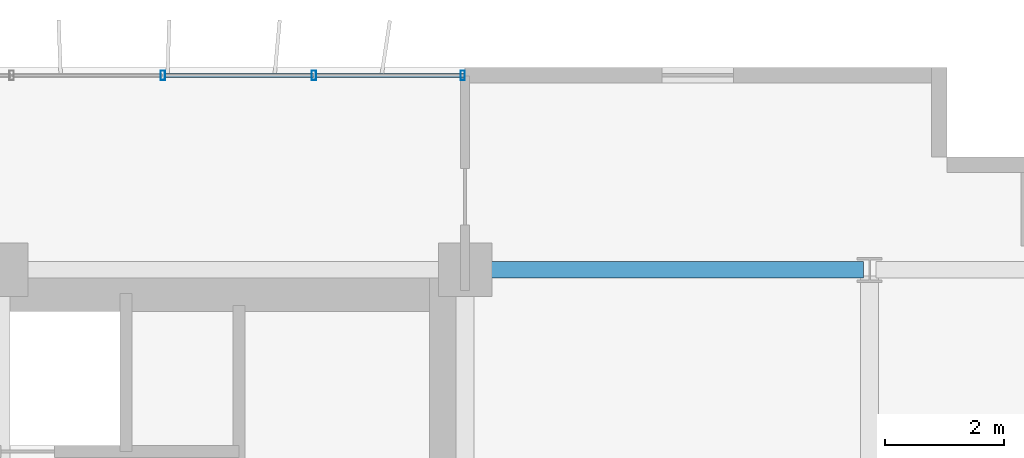
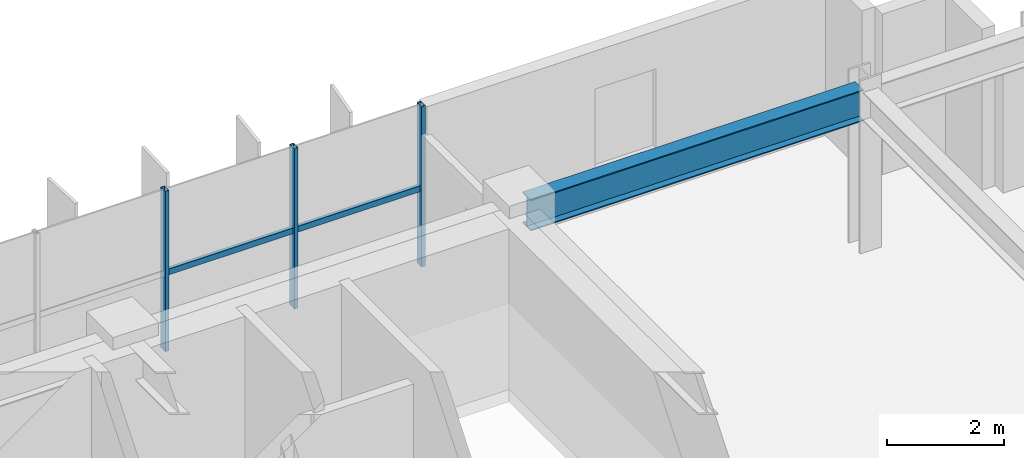
# One storey, part 12 of 21: 5 members, 1 beam, 1 element without a shape of its own.
"""IFC4 building model written with IfcOpenShell, lengths in metres."""

from ifc_helpers import new_model, si_unit, direction, frame, origin, origin_2d, place, context, subcontext, project, spatial, hollow_rectangle, i_section, extrude, source, transform, mapped, material, material_profile, profile_set, type_object, element, aggregate, save


model = new_model("IFC4")

# Units and contexts
model_context = context("Model", 3, precision=1e-05, world=origin(), true_north=direction((0.0, 1.0)))
body_context = subcontext(model_context, "Body", "Model", "MODEL_VIEW")
ifc_project = project(units=[si_unit("LENGTHUNIT", "METRE"), si_unit("AREAUNIT", "SQUARE_METRE"), si_unit("VOLUMEUNIT", "CUBIC_METRE"), si_unit("PLANEANGLEUNIT", "RADIAN"), si_unit("MASSUNIT", "GRAM", prefix="KILO")], contexts=[model_context])

# Site, building, storey
site_placement = place(None, origin())
site = spatial("IfcSite", under=ifc_project, at=site_placement, CompositionType="ELEMENT")
building_placement = place(site_placement, origin())
building = spatial("IfcBuilding", under=site, at=building_placement, Name="Trelvane Seafront Commons", CompositionType="ELEMENT")
storey_placement = place(building_placement, frame((0.0, 0.0, 34.300048828125)))
storey = spatial("IfcBuildingStorey", under=building, at=storey_placement, Name="L08", CompositionType="ELEMENT", Elevation=34.300048828125)

# Beam
ifc_material_1 = material(Name="Steel SM355 (S355)", Category="steel")
ifc_material_profile_1 = material_profile(ifc_material_1, i_section(OverallWidth=0.280029296875, OverallDepth=0.64990234375, WebThickness=0.012939453125, FlangeThickness=0.02197265625, at=origin_2d()), Name="H-650x280x13x22")
ifc_profile_set_1 = profile_set([ifc_material_profile_1], Name="Steel SM355 (S355)")
beam_type = type_object("IfcBeamType", Name="STR-BM-H650", PredefinedType="BEAM", material=ifc_profile_set_1)
shared_shape_1 = source(origin(), body_context, "Body", "SweptSolid", [
    extrude(i_section(OverallWidth=0.280029296875, OverallDepth=0.64990234375, WebThickness=0.012939453125, FlangeThickness=0.02197265625, at=origin_2d()), origin(), (0.0, 0.0, 1.0), 6.545166015625),
])
beam_placement = place(storey_placement, frame((58.949951171875, 45.10009765625, 3.014892578125), z_axis=(1.0, 0.0, 0.0), x_axis=(0.0, 1.0, 0.0)))
element("IfcBeam", 1, at=beam_placement, inside=storey, type_object=beam_type, Name="L08 Primary Girder G-35", PredefinedType="BEAM", context=body_context, shape_type="MappedRepresentation", body=[
    mapped(shared_shape_1, transform((0.0, 0.0, 0.0), x_axis=(1.0, 0.0, 0.0), y_axis=(0.0, 1.0, 0.0), z_axis=(0.0, 0.0, 1.0), scale=1.0)),
])

# Curtain wall, members
ifc_material_2 = material(Name="Anodised pale-silver aluminium", Category="aluminium")
curtain_wall_type = type_object("IfcCurtainWallType", Name="ARCH-CW2-LOWTOWER", PredefinedType="NOTDEFINED", material=ifc_material_2)
curtain_wall_placement = place(storey_placement, origin())
curtain_wall = element("IfcCurtainWall", 2, at=curtain_wall_placement, inside=storey, type_object=curtain_wall_type, Name="CW-L08-0032", PredefinedType="NOTDEFINED")
ifc_material_profile_2 = material_profile(ifc_material_2, hollow_rectangle(XDim=0.070068359375, YDim=0.1201171875, WallThickness=0.00390625, at=origin_2d()), Name="TRAN-70x120x4")
ifc_profile_set_2 = profile_set([ifc_material_profile_2], Name="Anodised pale-silver aluminium")
member_type_1 = type_object("IfcMemberType", Name="ARCH-CW-TRAN-120", PredefinedType="USERDEFINED", material=ifc_profile_set_2)
shared_shape_2 = source(origin(), body_context, "Body", "SweptSolid", [
    extrude(hollow_rectangle(XDim=0.070068359375, YDim=0.1201171875, WallThickness=0.00390625, at=origin_2d()), origin(), (0.0, 0.0, 1.0), 2.517333984375),
])
member_1_placement = place(storey_placement, frame((53.7294921875, 48.3701171875, 1.60302734375), z_axis=(1.0, 0.0, 0.0), x_axis=(0.0, 1.0, 0.0)))
member_1 = element("IfcMember", 3, at=member_1_placement, type_object=member_type_1, Name="CW-L08-0032-T15", ObjectType="TRANSOM", PredefinedType="USERDEFINED", context=body_context, shape_type="MappedRepresentation", body=[
    mapped(shared_shape_2, transform((0.0, 0.0, 0.0), x_axis=(1.0, 0.0, 0.0), y_axis=(0.0, 1.0, 0.0), z_axis=(0.0, 0.0, 1.0), scale=1.0)),
])
member_2_placement = place(storey_placement, frame((56.270751953125, 48.3701171875, 1.60302734375), z_axis=(1.0, 0.0, 0.0), x_axis=(0.0, 1.0, 0.0)))
member_2 = element("IfcMember", 4, at=member_2_placement, type_object=member_type_1, Name="CW-L08-0032-T16", ObjectType="TRANSOM", PredefinedType="USERDEFINED", context=body_context, shape_type="MappedRepresentation", body=[
    mapped(shared_shape_2, transform((0.0, 0.0, 0.0), x_axis=(1.0, 0.0, 0.0), y_axis=(0.0, 1.0, 0.0), z_axis=(0.0, 0.0, 1.0), scale=1.0)),
])
ifc_material_profile_3 = material_profile(ifc_material_2, hollow_rectangle(XDim=0.074951171875, YDim=0.159912109375, WallThickness=0.00390625, at=origin_2d()), Name="MULL-75x160x4")
ifc_profile_set_3 = profile_set([ifc_material_profile_3], Name="Anodised pale-silver aluminium")
member_type_2 = type_object("IfcMemberType", Name="ARCH-CW-MULL-160", PredefinedType="MULLION", material=ifc_profile_set_3)
shared_shape_3 = source(origin(), body_context, "Body", "SweptSolid", [
    extrude(hollow_rectangle(XDim=0.074951171875, YDim=0.159912109375, WallThickness=0.00390625, at=origin_2d()), origin(), (0.0, 0.0, 1.0), 3.33984375),
])
member_3_placement = place(storey_placement, frame((53.717529296875, 48.3701171875, 0.0), z_axis=(0.0, 0.0, 1.0), x_axis=(1.0, 0.0, 0.0)))
member_3 = element("IfcMember", 5, at=member_3_placement, type_object=member_type_2, Name="CW-L08-0032-M15", PredefinedType="MULLION", context=body_context, shape_type="MappedRepresentation", body=[
    mapped(shared_shape_3, transform((0.0, 0.0, 0.0), x_axis=(1.0, 0.0, 0.0), y_axis=(0.0, 1.0, 0.0), z_axis=(0.0, 0.0, 1.0), scale=1.0)),
])
member_4_placement = place(storey_placement, frame((56.2587890625, 48.3701171875, 0.0), z_axis=(0.0, 0.0, 1.0), x_axis=(1.0, 0.0, 0.0)))
member_4 = element("IfcMember", 6, at=member_4_placement, type_object=member_type_2, Name="CW-L08-0032-M16", PredefinedType="MULLION", context=body_context, shape_type="MappedRepresentation", body=[
    mapped(shared_shape_3, transform((0.0, 0.0, 0.0), x_axis=(1.0, 0.0, 0.0), y_axis=(0.0, 1.0, 0.0), z_axis=(0.0, 0.0, 1.0), scale=1.0)),
])
member_5_placement = place(storey_placement, frame((58.760009765625, 48.3701171875, 0.0), z_axis=(0.0, 0.0, 1.0), x_axis=(1.0, 0.0, 0.0)))
member_5 = element("IfcMember", 7, at=member_5_placement, type_object=member_type_2, Name="CW-L08-0032-M17", PredefinedType="MULLION", context=body_context, shape_type="MappedRepresentation", body=[
    mapped(shared_shape_3, transform((0.0, 0.0, 0.0), x_axis=(1.0, 0.0, 0.0), y_axis=(0.0, 1.0, 0.0), z_axis=(0.0, 0.0, 1.0), scale=1.0)),
])
aggregate(curtain_wall, [member_3, member_4, member_5, member_1, member_2])

save(model, "model.ifc")
